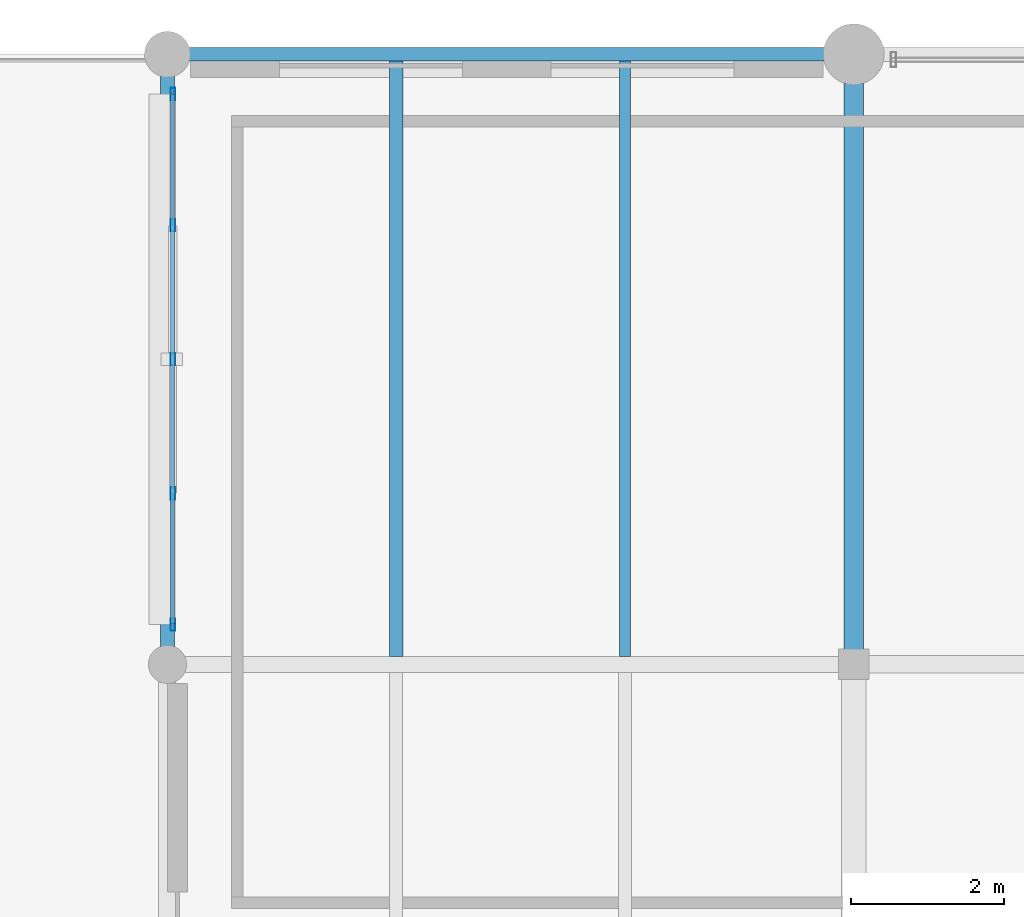
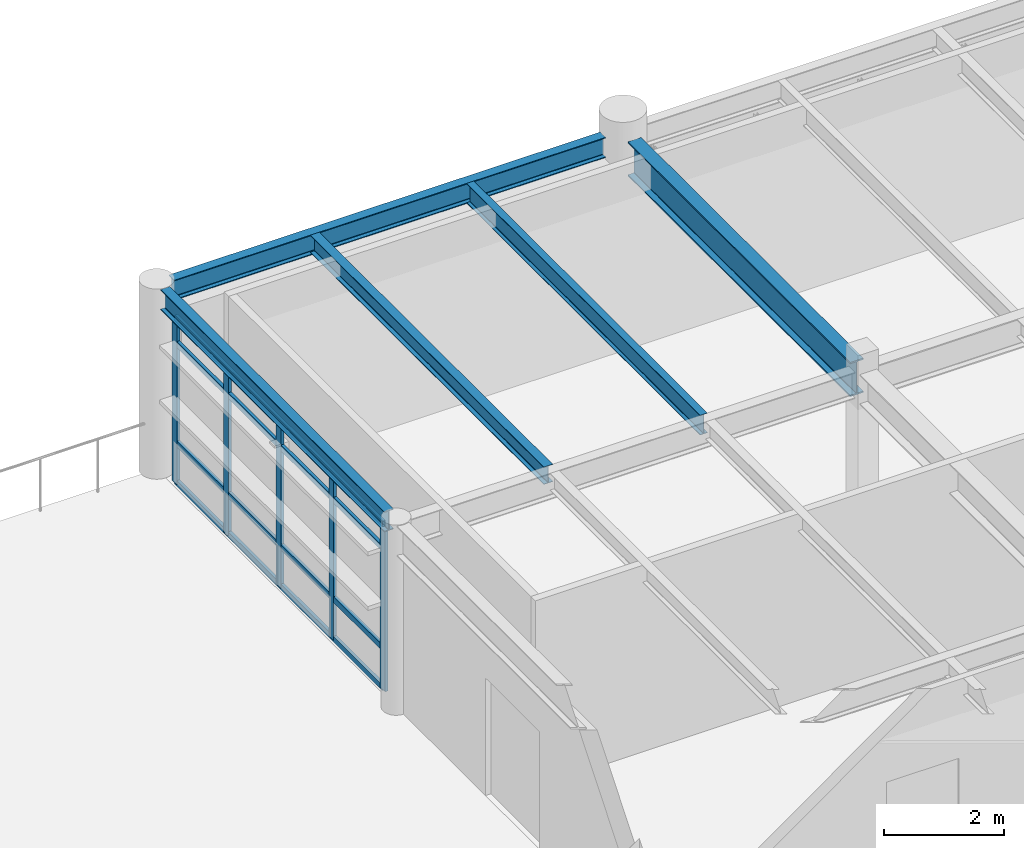
# One storey, part 11 of 56: 9 members, 5 beams, 1 element without a shape of its own.
"""IFC4 building model written with IfcOpenShell, lengths in metres."""

from ifc_helpers import new_model, si_unit, direction, frame, origin, origin_2d, place, context, subcontext, project, spatial, hollow_rectangle, i_section, extrude, material, material_profile, profile_set, type_object, element, aggregate, save


model = new_model("IFC4")

# Units and contexts
model_context = context("Model", 3, precision=1e-05, world=origin(), true_north=direction((0.0, 1.0)))
body_context = subcontext(model_context, "Body", "Model", "MODEL_VIEW")
ifc_project = project(units=[si_unit("LENGTHUNIT", "METRE"), si_unit("AREAUNIT", "SQUARE_METRE"), si_unit("VOLUMEUNIT", "CUBIC_METRE"), si_unit("PLANEANGLEUNIT", "RADIAN"), si_unit("MASSUNIT", "GRAM", prefix="KILO"), si_unit("THERMODYNAMICTEMPERATUREUNIT", "KELVIN"), si_unit("POWERUNIT", "WATT")], contexts=[model_context])

# Site, building, storey
site_placement = place(None, origin())
site = spatial("IfcSite", under=ifc_project, at=site_placement, CompositionType="ELEMENT")
building_placement = place(site_placement, origin())
building = spatial("IfcBuilding", under=site, at=building_placement, Name="Tepalcoro Natatorium and Aquatics Centre", CompositionType="ELEMENT")
storey_placement = place(building_placement, frame((0.0, 0.0, 14.800048828125)))
storey = spatial("IfcBuildingStorey", under=building, at=storey_placement, Name="L03", CompositionType="ELEMENT", Elevation=14.800048828125)

# Beam
ifc_material_1 = material(Name="Steel ASTM A992 Grade 50 (Fy 345 MPa)", Category="steel")
ifc_material_profile_1 = material_profile(ifc_material_1, i_section(OverallWidth=0.25390625, OverallDepth=0.700927734375, WebThickness=0.014892578125, FlangeThickness=0.028076171875, FilletRadius=0.013916015625, at=origin_2d()), Name="W27X129")
ifc_profile_set_1 = profile_set([ifc_material_profile_1], Name="Steel ASTM A992 Grade 50 (Fy 345 MPa)")
beam_type_1 = type_object("IfcBeamType", Name="BM_W27x129", PredefinedType="BEAM", material=ifc_profile_set_1)
beam_1_placement = place(storey_placement, frame((116.0, 110.18505859375, 3.454345703125), z_axis=(0.0, 1.0, 0.0), x_axis=(-1.0, 0.0, 0.0)))
element("IfcBeam", 1, at=beam_1_placement, inside=storey, type_object=beam_type_1, Name="V5 L03 Grid Girder Y", PredefinedType="BEAM", context=body_context, shape_type="SweptSolid", body=[
    extrude(i_section(OverallWidth=0.25390625, OverallDepth=0.700927734375, WebThickness=0.014892578125, FlangeThickness=0.028076171875, FilletRadius=0.013916015625, at=origin_2d()), origin(), (0.0, 0.0, 1.0), 7.429931640625),
])

# Curtain wall, members
ifc_material_2 = material(Name="Bronze-Anodised Extruded Aluminium Alloy EN AW-6063 T6", Category="aluminium")
curtain_wall_type = type_object("IfcCurtainWallType", Name="CW_LEAN_T1_EW", PredefinedType="USERDEFINED", material=ifc_material_2)
curtain_wall_placement = place(storey_placement, origin())
curtain_wall = element("IfcCurtainWall", 2, at=curtain_wall_placement, inside=storey, type_object=curtain_wall_type, Name="V5 L03 W Unitised Curtain Wall Bay 3", ObjectType="FACETED SOLAR GLAZING", PredefinedType="USERDEFINED")
ifc_material_profile_2 = material_profile(ifc_material_2, hollow_rectangle(XDim=0.06005859375, YDim=0.159912109375, WallThickness=0.00390625, at=origin_2d()), Name="AL60X160X4")
ifc_profile_set_2 = profile_set([ifc_material_profile_2], Name="Bronze-Anodised Extruded Aluminium Alloy EN AW-6063 T6")
member_type_1 = type_object("IfcMemberType", Name="CW_MUL_60x160", PredefinedType="MULLION", material=ifc_profile_set_2)
member_1_placement = place(storey_placement, frame((107.0712890625, 110.52001953125, 0.02001953125), z_axis=(0.0, 0.0, 1.0), x_axis=(1.0, 0.0, 0.0)))
member_1 = element("IfcMember", 3, at=member_1_placement, type_object=member_type_1, Name="CW_LEAN_T1_EW Curtain Wall Mullion", PredefinedType="MULLION", context=body_context, shape_type="SweptSolid", body=[
    extrude(hollow_rectangle(XDim=0.06005859375, YDim=0.159912109375, WallThickness=0.00390625, at=origin_2d()), origin(), (0.0, 0.0, 1.0), 3.39697265625),
])
member_2_placement = place(storey_placement, frame((107.0712890625, 112.239990234375, 0.02001953125), z_axis=(0.0, 0.0, 1.0), x_axis=(1.0, 0.0, 0.0)))
member_2 = element("IfcMember", 4, at=member_2_placement, type_object=member_type_1, Name="CW_LEAN_T1_EW Curtain Wall Mullion", PredefinedType="MULLION", context=body_context, shape_type="SweptSolid", body=[
    extrude(hollow_rectangle(XDim=0.06005859375, YDim=0.159912109375, WallThickness=0.00390625, at=origin_2d()), origin(), (0.0, 0.0, 1.0), 3.39697265625),
])
member_3_placement = place(storey_placement, frame((107.0712890625, 114.0, 0.02001953125), z_axis=(0.0, 0.0, 1.0), x_axis=(1.0, 0.0, 0.0)))
member_3 = element("IfcMember", 5, at=member_3_placement, type_object=member_type_1, Name="CW_LEAN_T1_EW Curtain Wall Mullion", PredefinedType="MULLION", context=body_context, shape_type="SweptSolid", body=[
    extrude(hollow_rectangle(XDim=0.06005859375, YDim=0.159912109375, WallThickness=0.00390625, at=origin_2d()), origin(), (0.0, 0.0, 1.0), 3.39697265625),
])
member_4_placement = place(storey_placement, frame((107.0712890625, 115.760009765625, 0.02001953125), z_axis=(0.0, 0.0, 1.0), x_axis=(1.0, 0.0, 0.0)))
member_4 = element("IfcMember", 6, at=member_4_placement, type_object=member_type_1, Name="CW_LEAN_T1_EW Curtain Wall Mullion", PredefinedType="MULLION", context=body_context, shape_type="SweptSolid", body=[
    extrude(hollow_rectangle(XDim=0.06005859375, YDim=0.159912109375, WallThickness=0.00390625, at=origin_2d()), origin(), (0.0, 0.0, 1.0), 3.39697265625),
])
member_5_placement = place(storey_placement, frame((107.0712890625, 117.47998046875, 0.02001953125), z_axis=(0.0, 0.0, 1.0), x_axis=(1.0, 0.0, 0.0)))
member_5 = element("IfcMember", 7, at=member_5_placement, type_object=member_type_1, Name="CW_LEAN_T1_EW Curtain Wall Mullion", PredefinedType="MULLION", context=body_context, shape_type="SweptSolid", body=[
    extrude(hollow_rectangle(XDim=0.06005859375, YDim=0.159912109375, WallThickness=0.00390625, at=origin_2d()), origin(), (0.0, 0.0, 1.0), 3.39697265625),
])
ifc_material_profile_3 = material_profile(ifc_material_2, hollow_rectangle(XDim=0.06005859375, YDim=0.1201171875, WallThickness=0.00390625, at=origin_2d()), Name="AL60X120X4")
ifc_profile_set_3 = profile_set([ifc_material_profile_3], Name="Bronze-Anodised Extruded Aluminium Alloy EN AW-6063 T6")
member_type_2 = type_object("IfcMemberType", Name="CW_TRN_60x120", PredefinedType="USERDEFINED", material=ifc_profile_set_3)
member_6_placement = place(storey_placement, frame((107.0712890625, 110.530029296875, 0.050048828125), z_axis=(0.0, 1.0, 0.0), x_axis=(-1.0, 0.0, 0.0)))
member_6 = element("IfcMember", 8, at=member_6_placement, type_object=member_type_2, Name="CW_LEAN_T1_EW Curtain Wall Transom", ObjectType="TRANSOM", PredefinedType="USERDEFINED", context=body_context, shape_type="SweptSolid", body=[
    extrude(hollow_rectangle(XDim=0.06005859375, YDim=0.1201171875, WallThickness=0.00390625, at=origin_2d()), origin(), (0.0, 0.0, 1.0), 6.93994140625),
])
member_7_placement = place(storey_placement, frame((107.0712890625, 110.530029296875, 0.859130859375), z_axis=(0.0, 1.0, 0.0), x_axis=(-1.0, 0.0, 0.0)))
member_7 = element("IfcMember", 9, at=member_7_placement, type_object=member_type_2, Name="CW_LEAN_T1_EW Curtain Wall Transom", ObjectType="TRANSOM", PredefinedType="USERDEFINED", context=body_context, shape_type="SweptSolid", body=[
    extrude(hollow_rectangle(XDim=0.06005859375, YDim=0.1201171875, WallThickness=0.00390625, at=origin_2d()), origin(), (0.0, 0.0, 1.0), 6.93994140625),
])
member_8_placement = place(storey_placement, frame((107.0712890625, 110.530029296875, 2.886962890625), z_axis=(0.0, 1.0, 0.0), x_axis=(-1.0, 0.0, 0.0)))
member_8 = element("IfcMember", 10, at=member_8_placement, type_object=member_type_2, Name="CW_LEAN_T1_EW Curtain Wall Transom", ObjectType="TRANSOM", PredefinedType="USERDEFINED", context=body_context, shape_type="SweptSolid", body=[
    extrude(hollow_rectangle(XDim=0.06005859375, YDim=0.1201171875, WallThickness=0.00390625, at=origin_2d()), origin(), (0.0, 0.0, 1.0), 6.93994140625),
])
member_9_placement = place(storey_placement, frame((107.0712890625, 110.530029296875, 3.386962890625), z_axis=(0.0, 1.0, 0.0), x_axis=(-1.0, 0.0, 0.0)))
member_9 = element("IfcMember", 11, at=member_9_placement, type_object=member_type_2, Name="CW_LEAN_T1_EW Curtain Wall Transom", ObjectType="TRANSOM", PredefinedType="USERDEFINED", context=body_context, shape_type="SweptSolid", body=[
    extrude(hollow_rectangle(XDim=0.06005859375, YDim=0.1201171875, WallThickness=0.00390625, at=origin_2d()), origin(), (0.0, 0.0, 1.0), 6.93994140625),
])
aggregate(curtain_wall, [member_1, member_2, member_3, member_4, member_5, member_6, member_7, member_8, member_9])

# Beams
ifc_material_profile_4 = material_profile(ifc_material_1, i_section(OverallWidth=0.172119140625, OverallDepth=0.35791015625, WebThickness=0.008056640625, FlangeThickness=0.012939453125, FilletRadius=0.013916015625, at=origin_2d()), Name="W14X38")
ifc_profile_set_4 = profile_set([ifc_material_profile_4], Name="Steel ASTM A992 Grade 50 (Fy 345 MPa)")
beam_type_2 = type_object("IfcBeamType", Name="JS_W14x38", PredefinedType="JOIST", material=ifc_profile_set_4)
beam_2_placement = place(storey_placement, frame((110.0, 110.10498046875, 3.6259765625), z_axis=(0.0, 1.0, 0.0), x_axis=(-1.0, 0.0, 0.0)))
element("IfcBeam", 12, at=beam_2_placement, inside=storey, type_object=beam_type_2, Name="V5 L03 Floor Joist", PredefinedType="JOIST", context=body_context, shape_type="SweptSolid", body=[
    extrude(i_section(OverallWidth=0.172119140625, OverallDepth=0.35791015625, WebThickness=0.008056640625, FlangeThickness=0.012939453125, FilletRadius=0.013916015625, at=origin_2d()), origin(), (0.0, 0.0, 1.0), 7.804931640625),
])
ifc_material_profile_5 = material_profile(ifc_material_1, i_section(OverallWidth=0.139892578125, OverallDepth=0.404052734375, WebThickness=0.007080078125, FlangeThickness=0.010986328125, FilletRadius=0.013916015625, at=origin_2d()), Name="W16X31")
ifc_profile_set_5 = profile_set([ifc_material_profile_5], Name="Steel ASTM A992 Grade 50 (Fy 345 MPa)")
beam_type_3 = type_object("IfcBeamType", Name="JS_W16x31", PredefinedType="JOIST", material=ifc_profile_set_5)
beam_3_placement = place(storey_placement, frame((113.0, 110.10498046875, 3.60302734375), z_axis=(0.0, 1.0, 0.0), x_axis=(-1.0, 0.0, 0.0)))
element("IfcBeam", 13, at=beam_3_placement, inside=storey, type_object=beam_type_3, Name="V5 L03 Floor Joist", PredefinedType="JOIST", context=body_context, shape_type="SweptSolid", body=[
    extrude(i_section(OverallWidth=0.139892578125, OverallDepth=0.404052734375, WebThickness=0.007080078125, FlangeThickness=0.010986328125, FilletRadius=0.013916015625, at=origin_2d()), origin(), (0.0, 0.0, 1.0), 7.804931640625),
])
ifc_material_profile_6 = material_profile(ifc_material_1, i_section(OverallWidth=0.179931640625, OverallDepth=0.4130859375, WebThickness=0.010009765625, FlangeThickness=0.01611328125, FilletRadius=0.013916015625, at=origin_2d()), Name="W16X50")
ifc_profile_set_6 = profile_set([ifc_material_profile_6], Name="Steel ASTM A992 Grade 50 (Fy 345 MPa)")
beam_type_4 = type_object("IfcBeamType", Name="SP_HSS300x200x12", PredefinedType="SPANDREL", material=ifc_profile_set_6)
beam_4_placement = place(storey_placement, frame((107.284912109375, 118.0, 3.598388671875), z_axis=(1.0, 0.0, 0.0), x_axis=(0.0, 1.0, 0.0)))
element("IfcBeam", 14, at=beam_4_placement, inside=storey, type_object=beam_type_4, Name="V5 L03 Grid Girder X", PredefinedType="SPANDREL", context=body_context, shape_type="SweptSolid", body=[
    extrude(i_section(OverallWidth=0.179931640625, OverallDepth=0.4130859375, WebThickness=0.010009765625, FlangeThickness=0.01611328125, FilletRadius=0.013916015625, at=origin_2d()), origin(), (0.0, 0.0, 1.0), 8.330078125),
])
beam_5_placement = place(storey_placement, frame((107.0, 110.235107421875, 3.658447265625), z_axis=(0.0, 1.0, 0.0), x_axis=(-1.0, 0.0, 0.0)))
element("IfcBeam", 15, at=beam_5_placement, inside=storey, type_object=beam_type_4, Name="V5 L03 Grid Girder Y", PredefinedType="SPANDREL", context=body_context, shape_type="SweptSolid", body=[
    extrude(i_section(OverallWidth=0.179931640625, OverallDepth=0.4130859375, WebThickness=0.010009765625, FlangeThickness=0.01611328125, FilletRadius=0.013916015625, at=origin_2d()), origin(), (0.0, 0.0, 1.0), 7.47998046875),
])

save(model, "model.ifc")
